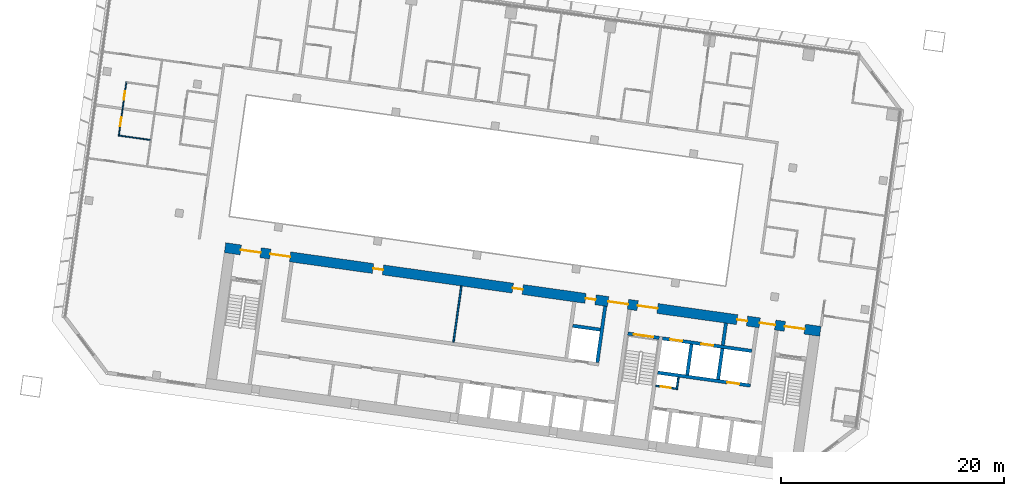
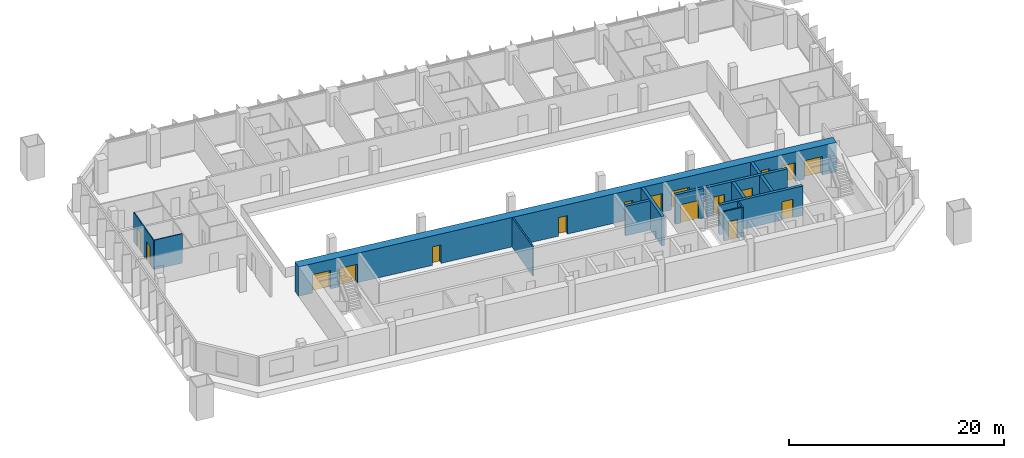
# One storey, part 15 of 25: 17 doors, 14 walls, 17 openings.
"""IFC4 building model written with IfcOpenShell, lengths in metres."""

from ifc_helpers import new_model, si_unit, direction, frame, frame_2d, origin, place, context, subcontext, project, spatial, rectangle, extrude, material, layer, layer_set, type_object, element, fill, save


model = new_model("IFC4")

# Units and contexts
model_context = context("Model", 3, precision=1e-05, world=origin(), true_north=direction((0.0, 1.0)))
body_context = subcontext(model_context, "Body", "Model", "MODEL_VIEW")
ifc_project = project(units=[si_unit("LENGTHUNIT", "METRE"), si_unit("AREAUNIT", "SQUARE_METRE"), si_unit("VOLUMEUNIT", "CUBIC_METRE"), si_unit("PLANEANGLEUNIT", "RADIAN"), si_unit("MASSUNIT", "GRAM", prefix="KILO")], contexts=[model_context])

# Site, building, storey
site_placement = place(None, origin())
site = spatial("IfcSite", under=ifc_project, at=site_placement, CompositionType="ELEMENT")
building_placement = place(site_placement, origin())
building = spatial("IfcBuilding", under=site, at=building_placement, Name="Mirante Cascada Hotel Towers", CompositionType="ELEMENT")
storey_placement = place(building_placement, frame((0.0, 0.0, 62.3)))
storey = spatial("IfcBuildingStorey", under=building, at=storey_placement, Name="L12", CompositionType="ELEMENT", Elevation=62.3)

# Wall
ifc_material_1 = material(Name="Masonry block", Category="masonry")
ifc_layer_1 = layer(ifc_material_1, 0.15)
ifc_layer_set_1 = layer_set([ifc_layer_1], Name="Core room partition 150 block EI 30")
wall_type_1 = type_object("IfcWallType", Name="Core room partition 150 block EI 30", PredefinedType="PARTITIONING", material=ifc_layer_set_1)
wall_1_placement = place(storey_placement, frame((-48.2295, -12.793, 0.0), z_axis=(0.0, 0.0, 1.0), x_axis=(0.1391935, 0.9902652, 0.0)))
element("IfcWall", 1, at=wall_1_placement, inside=storey, type_object=wall_type_1, Name="Core wall partition T1 L12 2", PredefinedType="PARTITIONING", context=body_context, shape_type="SweptSolid", body=[
    extrude(rectangle(XDim=1.1251, YDim=0.15, at=frame_2d((0.5626, 0.0))), origin(), (0.0, 0.0, 1.0), 3.35),
])

# Wall, opening, door
wall_2_placement = place(storey_placement, frame((-48.2933, -12.7083, 0.0), z_axis=(0.0, 0.0, 1.0), x_axis=(-0.990268, 0.1391734, 0.0)))
wall_2 = element("IfcWall", 2, at=wall_2_placement, inside=storey, type_object=wall_type_1, Name="Core wall partition T1 L12 3", PredefinedType="PARTITIONING", context=body_context, shape_type="SweptSolid", body=[
    extrude(rectangle(XDim=1.8251, YDim=0.15, at=frame_2d((0.9126, 0.0))), origin(), (0.0, 0.0, 1.0), 3.35),
])
opening_1_placement = place(wall_2_placement, frame((0.4625, 0.0, 0.0)))
opening_1 = element("IfcOpeningElement", 3, at=opening_1_placement, cuts=wall_2, Name="Opening D1-12-C23", PredefinedType="OPENING", context=body_context, shape_type="SweptSolid", body=[
    extrude(rectangle(XDim=0.9, YDim=2.1, at=frame_2d((0.45, 1.05))), frame((0.0, 0.075, 0.0), z_axis=(0.0, -1.0, 0.0), x_axis=(1.0, 0.0, 0.0)), (0.0, 0.0, 1.0), 0.15),
])
ifc_material_2 = material(Name="Hollow metal fire door leaf")
door_type_1 = type_object("IfcDoorType", Name="Fire door 900x2100 FD60", OperationType="NOTDEFINED", PredefinedType="DOOR", material=ifc_material_2)
door_1_placement = place(opening_1_placement, origin())
door_1 = element("IfcDoor", 4, at=door_1_placement, inside=storey, type_object=door_type_1, Name="Riser door T1 L12 23", OperationType="SINGLE_SWING_LEFT", OverallHeight=2.1, OverallWidth=0.9, PredefinedType="DOOR", context=body_context, shape_type="SweptSolid", body=[
    extrude(rectangle(XDim=0.9, YDim=2.1, at=frame_2d((0.45, 1.05))), frame((0.0, 0.025, 0.0), z_axis=(0.0, -1.0, 0.0), x_axis=(1.0, 0.0, 0.0)), (0.0, 0.0, 1.0), 0.05),
])
fill(opening_1, door_1)

# Walls
wall_3_placement = place(storey_placement, frame((-68.2822, -8.5358, 0.0), z_axis=(0.0, 0.0, 1.0), x_axis=(0.1391755, 0.9902677, 0.0)))
element("IfcWall", 5, at=wall_3_placement, inside=storey, type_object=wall_type_1, Name="Core wall partition T1 L12 6", PredefinedType="PARTITIONING", context=body_context, shape_type="SweptSolid", body=[
    extrude(rectangle(XDim=5.1, YDim=0.15, at=frame_2d((2.55, 0.0))), origin(), (0.0, 0.0, 1.0), 3.35),
])
ifc_material_3 = material(Name="Masonry block", Category="masonry")
ifc_layer_2 = layer(ifc_material_3, 0.3)
ifc_layer_set_2 = layer_set([ifc_layer_2], Name="Core wall 300 block EI 120")
wall_type_2 = type_object("IfcWallType", Name="Core wall 300 block EI 120", PredefinedType="PARTITIONING", material=ifc_layer_set_2)
wall_4_placement = place(storey_placement, frame((-44.0843, -8.8061, 0.0), z_axis=(0.0, 0.0, 1.0), x_axis=(0.1391951, 0.990265, 0.0)))
element("IfcWall", 6, at=wall_4_placement, inside=storey, type_object=wall_type_2, Name="Core wall partition T1 L12 1", PredefinedType="PARTITIONING", context=body_context, shape_type="SweptSolid", body=[
    extrude(rectangle(XDim=2.0001, YDim=0.3, at=frame_2d((1.0001, 0.0))), origin(), (0.0, 0.0, 1.0), 3.35),
])
ifc_material_4 = material(Name="Plasterboard on metal studs")
ifc_layer_3 = layer(ifc_material_4, 0.1)
ifc_layer_set_3 = layer_set([ifc_layer_3], Name="Partition 100")
wall_type_3 = type_object("IfcWallType", Name="Partition 100", PredefinedType="PARTITIONING", material=ifc_layer_set_3)
wall_5_placement = place(storey_placement, frame((-95.5188, 9.6317, 0.0), z_axis=(0.0, 0.0, 1.0), x_axis=(-0.9902726, 0.139141, 0.0)))
element("IfcWall", 7, at=wall_5_placement, inside=storey, type_object=wall_type_3, Name="Wall 1-L12-11", PredefinedType="PARTITIONING", context=body_context, shape_type="SweptSolid", body=[
    extrude(rectangle(XDim=2.8, YDim=0.1, at=frame_2d((1.4, 0.0))), origin(), (0.0, 0.0, 1.0), 3.35),
])

# Wall, openings, doors
wall_6_placement = place(storey_placement, frame((-97.6615, 14.8641, 0.0), z_axis=(0.0, 0.0, 1.0), x_axis=(-0.1391564, -0.9902704, 0.0)))
wall_6 = element("IfcWall", 8, at=wall_6_placement, inside=storey, type_object=wall_type_3, Name="Wall 1-L12-62", PredefinedType="PARTITIONING", context=body_context, shape_type="SweptSolid", body=[
    extrude(rectangle(XDim=4.9333, YDim=0.1, at=frame_2d((2.4666, 0.0))), origin(), (0.0, 0.0, 1.0), 3.35),
])
opening_2_placement = place(wall_6_placement, frame((3.25, 0.0, 0.0)))
opening_2 = element("IfcOpeningElement", 9, at=opening_2_placement, cuts=wall_6, Name="Opening D1-L12-41", PredefinedType="OPENING", context=body_context, shape_type="SweptSolid", body=[
    extrude(rectangle(XDim=0.8, YDim=2.1, at=frame_2d((0.4, 1.05))), frame((0.0, 0.05, 0.0), z_axis=(0.0, -1.0, 0.0), x_axis=(1.0, 0.0, 0.0)), (0.0, 0.0, 1.0), 0.1),
])
opening_3_placement = place(wall_6_placement, frame((0.85, 0.0, 0.0)))
opening_3 = element("IfcOpeningElement", 10, at=opening_3_placement, cuts=wall_6, Name="Opening D1-L12-42", PredefinedType="OPENING", context=body_context, shape_type="SweptSolid", body=[
    extrude(rectangle(XDim=0.8, YDim=2.1, at=frame_2d((0.4, 1.05))), frame((0.0, 0.05, 0.0), z_axis=(0.0, -1.0, 0.0), x_axis=(1.0, 0.0, 0.0)), (0.0, 0.0, 1.0), 0.1),
])
ifc_material_5 = material(Name="Timber door leaf", Category="wood")
door_type_2 = type_object("IfcDoorType", Name="Bathroom door DG4 800x2100", OperationType="SINGLE_SWING_LEFT", PredefinedType="DOOR", material=ifc_material_5)
door_2_placement = place(opening_2_placement, frame((0.8, 0.0, 0.0), z_axis=(0.0, 0.0, 1.0), x_axis=(-1.0, 0.0, 0.0)))
door_2 = element("IfcDoor", 11, at=door_2_placement, inside=storey, type_object=door_type_2, Name="Door D1-L12-41", OperationType="SINGLE_SWING_RIGHT", OverallHeight=2.1, OverallWidth=0.8, PredefinedType="DOOR", context=body_context, shape_type="SweptSolid", body=[
    extrude(rectangle(XDim=0.8, YDim=2.1, at=frame_2d((0.4, 1.05))), frame((0.0, 0.025, 0.0), z_axis=(0.0, -1.0, 0.0), x_axis=(1.0, 0.0, 0.0)), (0.0, 0.0, 1.0), 0.05),
])
fill(opening_2, door_2)
door_3_placement = place(opening_3_placement, origin())
door_3 = element("IfcDoor", 12, at=door_3_placement, inside=storey, type_object=door_type_2, Name="Door D1-L12-42", OperationType="SINGLE_SWING_LEFT", OverallHeight=2.1, OverallWidth=0.8, PredefinedType="DOOR", context=body_context, shape_type="SweptSolid", body=[
    extrude(rectangle(XDim=0.8, YDim=2.1, at=frame_2d((0.4, 1.05))), frame((0.0, 0.025, 0.0), z_axis=(0.0, -1.0, 0.0), x_axis=(1.0, 0.0, 0.0)), (0.0, 0.0, 1.0), 0.05),
])
fill(opening_3, door_3)

# Wall, opening, door
ifc_material_6 = material(Name="Concrete C50/60", Category="concrete")
ifc_layer_4 = layer(ifc_material_6, 0.3)
ifc_layer_set_4 = layer_set([ifc_layer_4], Name="RC core wall 300 C50/60")
wall_type_4 = type_object("IfcWallType", Name="RC core wall 300 C50/60", PredefinedType="SHEAR", material=ifc_layer_set_4)
wall_7_placement = place(storey_placement, frame((-49.7992, -8.1544, 0.0), z_axis=(0.0, 0.0, 1.0), x_axis=(-0.9902656, 0.1391909, 0.0)))
wall_7 = element("IfcWall", 13, at=wall_7_placement, inside=storey, type_object=wall_type_4, Name="Core wall T1:L12:10", PredefinedType="SHEAR", context=body_context, shape_type="SweptSolid", body=[
    extrude(rectangle(XDim=2.85, YDim=0.3, at=frame_2d((1.425, 0.0))), origin(), (0.0, 0.0, 1.0), 3.35),
])
opening_4_placement = place(wall_7_placement, frame((0.525, 0.0, 0.0)))
opening_4 = element("IfcOpeningElement", 14, at=opening_4_placement, cuts=wall_7, Name="Opening D1-12-C15", PredefinedType="OPENING", context=body_context, shape_type="SweptSolid", body=[
    extrude(rectangle(XDim=1.8, YDim=2.1, at=frame_2d((0.9, 1.05))), frame((0.0, 0.15, 0.0), z_axis=(0.0, -1.0, 0.0), x_axis=(1.0, 0.0, 0.0)), (0.0, 0.0, 1.0), 0.3),
])
ifc_material_7 = material(Name="Hollow metal fire door leaf")
door_type_3 = type_object("IfcDoorType", Name="Double fire door 1800x2100 FD60", OperationType="DOUBLE_DOOR_SINGLE_SWING", PredefinedType="DOOR", material=ifc_material_7)
door_4_placement = place(opening_4_placement, origin())
door_4 = element("IfcDoor", 15, at=door_4_placement, inside=storey, type_object=door_type_3, Name="Stair door T1 L12 15", OperationType="DOUBLE_DOOR_SINGLE_SWING", OverallHeight=2.1, OverallWidth=1.8, PredefinedType="DOOR", context=body_context, shape_type="SweptSolid", body=[
    extrude(rectangle(XDim=0.895, YDim=2.1, at=frame_2d((0.4475, 1.05))), frame((0.0, 0.025, 0.0), z_axis=(0.0, -1.0, 0.0), x_axis=(1.0, 0.0, 0.0)), (0.0, 0.0, 1.0), 0.05),
    extrude(rectangle(XDim=0.895, YDim=2.1, at=frame_2d((1.3525, 1.05))), frame((0.0, 0.025, 0.0), z_axis=(0.0, -1.0, 0.0), x_axis=(1.0, 0.0, 0.0)), (0.0, 0.0, 1.0), 0.05),
])
fill(opening_4, door_4)

wall_8_placement = place(storey_placement, frame((-41.6153, -12.435, 0.0), z_axis=(0.0, 0.0, 1.0), x_axis=(-0.9902691, 0.139166, 0.0)))
wall_8 = element("IfcWall", 16, at=wall_8_placement, inside=storey, type_object=wall_type_4, Name="Core wall T1:L12:13", PredefinedType="SHEAR", context=body_context, shape_type="SweptSolid", body=[
    extrude(rectangle(XDim=8.4, YDim=0.3, at=frame_2d((4.2, 0.0))), origin(), (0.0, 0.0, 1.0), 3.35),
])
opening_5_placement = place(wall_8_placement, frame((1.0, 0.0, 0.0)))
opening_5 = element("IfcOpeningElement", 17, at=opening_5_placement, cuts=wall_8, Name="Opening LD", PredefinedType="OPENING", context=body_context, shape_type="SweptSolid", body=[
    extrude(rectangle(XDim=1.1, YDim=2.1, at=frame_2d((0.55, 1.05))), frame((0.0, 0.15, 0.0), z_axis=(0.0, -1.0, 0.0), x_axis=(1.0, 0.0, 0.0)), (0.0, 0.0, 1.0), 0.3),
])
ifc_material_8 = material(Name="Stainless steel", Category="steel")
door_type_4 = type_object("IfcDoorType", Name="Lift landing door 1100x2100 EI 120", OperationType="DOUBLE_DOOR_SLIDING", PredefinedType="DOOR", material=ifc_material_8)
door_5_placement = place(opening_5_placement, origin())
door_5 = element("IfcDoor", 18, at=door_5_placement, inside=storey, type_object=door_type_4, Name="Lift landing door HR1-4 L12", OperationType="DOUBLE_DOOR_SLIDING", OverallHeight=2.1, OverallWidth=1.1, PredefinedType="DOOR", context=body_context, shape_type="SweptSolid", body=[
    extrude(rectangle(XDim=0.545, YDim=2.1, at=frame_2d((0.2725, 1.05))), frame((0.0, 0.025, 0.0), z_axis=(0.0, -1.0, 0.0), x_axis=(1.0, 0.0, 0.0)), (0.0, 0.0, 1.0), 0.05),
    extrude(rectangle(XDim=0.545, YDim=2.1, at=frame_2d((0.8275, 1.05))), frame((0.0, 0.025, 0.0), z_axis=(0.0, -1.0, 0.0), x_axis=(1.0, 0.0, 0.0)), (0.0, 0.0, 1.0), 0.05),
])
fill(opening_5, door_5)

# Wall, openings, doors
wall_9_placement = place(storey_placement, frame((-41.481, -9.3234, 0.0), z_axis=(0.0, 0.0, 1.0), x_axis=(-0.9902679, 0.1391741, 0.0)))
wall_9 = element("IfcWall", 19, at=wall_9_placement, inside=storey, type_object=wall_type_4, Name="Core wall T1:L12:14", PredefinedType="SHEAR", context=body_context, shape_type="SweptSolid", body=[
    extrude(rectangle(XDim=8.0999, YDim=0.3, at=frame_2d((4.05, 0.0))), origin(), (0.0, 0.0, 1.0), 3.35),
])
opening_6_placement = place(wall_9_placement, frame((3.5, 0.0, 0.0)))
opening_6 = element("IfcOpeningElement", 20, at=opening_6_placement, cuts=wall_9, Name="Opening LD", PredefinedType="OPENING", context=body_context, shape_type="SweptSolid", body=[
    extrude(rectangle(XDim=1.1, YDim=2.1, at=frame_2d((0.55, 1.05))), frame((0.0, 0.15, 0.0), z_axis=(0.0, -1.0, 0.0), x_axis=(1.0, 0.0, 0.0)), (0.0, 0.0, 1.0), 0.3),
])
opening_7_placement = place(wall_9_placement, frame((6.3, 0.0, 0.0)))
opening_7 = element("IfcOpeningElement", 21, at=opening_7_placement, cuts=wall_9, Name="Opening LD", PredefinedType="OPENING", context=body_context, shape_type="SweptSolid", body=[
    extrude(rectangle(XDim=1.1, YDim=2.1, at=frame_2d((0.55, 1.05))), frame((0.0, 0.15, 0.0), z_axis=(0.0, -1.0, 0.0), x_axis=(1.0, 0.0, 0.0)), (0.0, 0.0, 1.0), 0.3),
])
door_6_placement = place(opening_6_placement, origin())
door_6 = element("IfcDoor", 22, at=door_6_placement, inside=storey, type_object=door_type_4, Name="Lift landing door FF1 L12", OperationType="DOUBLE_DOOR_SLIDING", OverallHeight=2.1, OverallWidth=1.1, PredefinedType="DOOR", context=body_context, shape_type="SweptSolid", body=[
    extrude(rectangle(XDim=0.545, YDim=2.1, at=frame_2d((0.2725, 1.05))), frame((0.0, 0.025, 0.0), z_axis=(0.0, -1.0, 0.0), x_axis=(1.0, 0.0, 0.0)), (0.0, 0.0, 1.0), 0.05),
    extrude(rectangle(XDim=0.545, YDim=2.1, at=frame_2d((0.8275, 1.05))), frame((0.0, 0.025, 0.0), z_axis=(0.0, -1.0, 0.0), x_axis=(1.0, 0.0, 0.0)), (0.0, 0.0, 1.0), 0.05),
])
fill(opening_6, door_6)
door_7_placement = place(opening_7_placement, origin())
door_7 = element("IfcDoor", 23, at=door_7_placement, inside=storey, type_object=door_type_4, Name="Lift landing door FF2 L12", OperationType="DOUBLE_DOOR_SLIDING", OverallHeight=2.1, OverallWidth=1.1, PredefinedType="DOOR", context=body_context, shape_type="SweptSolid", body=[
    extrude(rectangle(XDim=0.545, YDim=2.1, at=frame_2d((0.2725, 1.05))), frame((0.0, 0.025, 0.0), z_axis=(0.0, -1.0, 0.0), x_axis=(1.0, 0.0, 0.0)), (0.0, 0.0, 1.0), 0.05),
    extrude(rectangle(XDim=0.545, YDim=2.1, at=frame_2d((0.8275, 1.05))), frame((0.0, 0.025, 0.0), z_axis=(0.0, -1.0, 0.0), x_axis=(1.0, 0.0, 0.0)), (0.0, 0.0, 1.0), 0.05),
])
fill(opening_7, door_7)

# Walls
for number, where, z_axis, x_axis, name in (
    (24, (-44.5157, -11.8759, 0.0), (0.0, 0.0, 1.0), (0.139181, 0.990267, 0.0), "Core wall T1:L12:18"),
    (25, (-47.2885, -11.4862, 0.0), (0.0, 0.0, 1.0), (0.139181, 0.990267, 0.0), "Core wall T1:L12:19"),
):
    element("IfcWall", number, at=place(storey_placement, frame(where, z_axis=z_axis, x_axis=x_axis)), inside=storey, type_object=wall_type_4, Name=name, PredefinedType="SHEAR", context=body_context, shape_type="SweptSolid", body=[
        extrude(rectangle(XDim=2.8, YDim=0.3, at=frame_2d((1.4, 0.0))), origin(), (0.0, 0.0, 1.0), 3.35),
    ])
wall_10_placement = place(storey_placement, frame((-55.3592, -10.352, 0.0), z_axis=(0.0, 0.0, 1.0), x_axis=(0.1391755, 0.9902677, 0.0)))
element("IfcWall", 26, at=wall_10_placement, inside=storey, type_object=wall_type_4, Name="Core wall T1:L12:33", PredefinedType="SHEAR", context=body_context, shape_type="SweptSolid", body=[
    extrude(rectangle(XDim=5.1, YDim=0.3, at=frame_2d((2.55, 0.0))), origin(), (0.0, 0.0, 1.0), 3.35),
])
wall_11_placement = place(storey_placement, frame((-55.0971, -7.4098, 0.0), z_axis=(0.0, 0.0, 1.0), x_axis=(-0.9902701, 0.1391586, 0.0)))
element("IfcWall", 27, at=wall_11_placement, inside=storey, type_object=wall_type_4, Name="Core wall T1:L12:36", PredefinedType="SHEAR", context=body_context, shape_type="SweptSolid", body=[
    extrude(rectangle(XDim=2.5, YDim=0.3, at=frame_2d((1.25, 0.0))), origin(), (0.0, 0.0, 1.0), 3.35),
])

# Wall, openings, doors
ifc_material_9 = material(Name="Concrete C50/60", Category="concrete")
ifc_layer_5 = layer(ifc_material_9, 0.9)
ifc_layer_set_5 = layer_set([ifc_layer_5], Name="RC core wall 900 C50/60")
wall_type_5 = type_object("IfcWallType", Name="RC core wall 900 C50/60", PredefinedType="SHEAR", material=ifc_layer_set_5)
wall_12_placement = place(storey_placement, frame((-35.326, -7.5629, 0.0), z_axis=(0.0, 0.0, 1.0), x_axis=(-0.9902679, 0.139174, 0.0)))
wall_12 = element("IfcWall", 28, at=wall_12_placement, inside=storey, type_object=wall_type_5, Name="Core wall T1:L12:2", PredefinedType="SHEAR", context=body_context, shape_type="SweptSolid", body=[
    extrude(rectangle(XDim=54.0, YDim=0.9, at=frame_2d((27.0, 0.0))), origin(), (0.0, 0.0, 1.0), 3.35),
])
opening_8_placement = place(wall_12_placement, frame((1.425, 0.0, 0.0)))
opening_8 = element("IfcOpeningElement", 29, at=opening_8_placement, cuts=wall_12, Name="Opening D1-12-C14", PredefinedType="OPENING", context=body_context, shape_type="SweptSolid", body=[
    extrude(rectangle(XDim=1.8, YDim=2.1, at=frame_2d((0.9, 1.05))), frame((0.0, 0.45, 0.0), z_axis=(0.0, -1.0, 0.0), x_axis=(1.0, 0.0, 0.0)), (0.0, 0.0, 1.0), 0.9),
])
opening_9_placement = place(wall_12_placement, frame((14.775, 0.0, 0.0)))
opening_9 = element("IfcOpeningElement", 30, at=opening_9_placement, cuts=wall_12, Name="Opening D1-12-C16", PredefinedType="OPENING", context=body_context, shape_type="SweptSolid", body=[
    extrude(rectangle(XDim=1.8, YDim=2.1, at=frame_2d((0.9, 1.05))), frame((0.0, 0.45, 0.0), z_axis=(0.0, -1.0, 0.0), x_axis=(1.0, 0.0, 0.0)), (0.0, 0.0, 1.0), 0.9),
])
opening_10_placement = place(wall_12_placement, frame((50.775, 0.0, 0.0)))
opening_10 = element("IfcOpeningElement", 31, at=opening_10_placement, cuts=wall_12, Name="Opening D1-12-C18", PredefinedType="OPENING", context=body_context, shape_type="SweptSolid", body=[
    extrude(rectangle(XDim=1.8, YDim=2.1, at=frame_2d((0.9, 1.05))), frame((0.0, 0.45, 0.0), z_axis=(0.0, -1.0, 0.0), x_axis=(1.0, 0.0, 0.0)), (0.0, 0.0, 1.0), 0.9),
])
opening_11_placement = place(wall_12_placement, frame((4.1, 0.0, 0.0)))
opening_11 = element("IfcOpeningElement", 32, at=opening_11_placement, cuts=wall_12, Name="Opening D1-12-C19", PredefinedType="OPENING", context=body_context, shape_type="SweptSolid", body=[
    extrude(rectangle(XDim=1.4, YDim=2.1, at=frame_2d((0.7, 1.05))), frame((0.0, 0.45, 0.0), z_axis=(0.0, -1.0, 0.0), x_axis=(1.0, 0.0, 0.0)), (0.0, 0.0, 1.0), 0.9),
])
opening_12_placement = place(wall_12_placement, frame((17.45, 0.0, 0.0)))
opening_12 = element("IfcOpeningElement", 33, at=opening_12_placement, cuts=wall_12, Name="Opening D1-12-C20", PredefinedType="OPENING", context=body_context, shape_type="SweptSolid", body=[
    extrude(rectangle(XDim=1.8, YDim=2.1, at=frame_2d((0.9, 1.05))), frame((0.0, 0.45, 0.0), z_axis=(0.0, -1.0, 0.0), x_axis=(1.0, 0.0, 0.0)), (0.0, 0.0, 1.0), 0.9),
])
opening_13_placement = place(wall_12_placement, frame((48.1, 0.0, 0.0)))
opening_13 = element("IfcOpeningElement", 34, at=opening_13_placement, cuts=wall_12, Name="Opening D1-12-C21", PredefinedType="OPENING", context=body_context, shape_type="SweptSolid", body=[
    extrude(rectangle(XDim=1.8, YDim=2.1, at=frame_2d((0.9, 1.05))), frame((0.0, 0.45, 0.0), z_axis=(0.0, -1.0, 0.0), x_axis=(1.0, 0.0, 0.0)), (0.0, 0.0, 1.0), 0.9),
])
opening_14_placement = place(wall_12_placement, frame((6.65, 0.0, 0.0)))
opening_14 = element("IfcOpeningElement", 35, at=opening_14_placement, cuts=wall_12, Name="Opening D1-12-C24", PredefinedType="OPENING", context=body_context, shape_type="SweptSolid", body=[
    extrude(rectangle(XDim=0.9, YDim=2.1, at=frame_2d((0.45, 1.05))), frame((0.0, 0.45, 0.0), z_axis=(0.0, -1.0, 0.0), x_axis=(1.0, 0.0, 0.0)), (0.0, 0.0, 1.0), 0.9),
])
opening_15_placement = place(wall_12_placement, frame((20.4, 0.0, 0.0)))
opening_15 = element("IfcOpeningElement", 36, at=opening_15_placement, cuts=wall_12, Name="Opening D1-12-C28", PredefinedType="OPENING", context=body_context, shape_type="SweptSolid", body=[
    extrude(rectangle(XDim=0.9, YDim=2.1, at=frame_2d((0.45, 1.05))), frame((0.0, 0.45, 0.0), z_axis=(0.0, -1.0, 0.0), x_axis=(1.0, 0.0, 0.0)), (0.0, 0.0, 1.0), 0.9),
])
opening_16_placement = place(wall_12_placement, frame((27.0, 0.0, 0.0)))
opening_16 = element("IfcOpeningElement", 37, at=opening_16_placement, cuts=wall_12, Name="Opening D1-12-C29", PredefinedType="OPENING", context=body_context, shape_type="SweptSolid", body=[
    extrude(rectangle(XDim=0.9, YDim=2.1, at=frame_2d((0.45, 1.05))), frame((0.0, 0.45, 0.0), z_axis=(0.0, -1.0, 0.0), x_axis=(1.0, 0.0, 0.0)), (0.0, 0.0, 1.0), 0.9),
])
opening_17_placement = place(wall_12_placement, frame((39.675, 0.0, 0.0)))
opening_17 = element("IfcOpeningElement", 38, at=opening_17_placement, cuts=wall_12, Name="Opening D1-12-C30", PredefinedType="OPENING", context=body_context, shape_type="SweptSolid", body=[
    extrude(rectangle(XDim=0.9, YDim=2.1, at=frame_2d((0.45, 1.05))), frame((0.0, 0.45, 0.0), z_axis=(0.0, -1.0, 0.0), x_axis=(1.0, 0.0, 0.0)), (0.0, 0.0, 1.0), 0.9),
])
ifc_material_10 = material(Name="Hollow metal fire door leaf")
door_type_5 = type_object("IfcDoorType", Name="Double fire door 1400x2100 FD60", OperationType="DOUBLE_DOOR_SINGLE_SWING", PredefinedType="DOOR", material=ifc_material_10)
door_8_placement = place(opening_11_placement, frame((1.4, 0.0, 0.0), z_axis=(0.0, 0.0, 1.0), x_axis=(-1.0, 0.0, 0.0)))
door_8 = element("IfcDoor", 39, at=door_8_placement, inside=storey, type_object=door_type_5, Name="Exit door to gallery T1 L12 19", OperationType="DOUBLE_DOOR_SINGLE_SWING", OverallHeight=2.1, OverallWidth=1.4, PredefinedType="DOOR", context=body_context, shape_type="SweptSolid", body=[
    extrude(rectangle(XDim=0.695, YDim=2.1, at=frame_2d((0.3475, 1.05))), frame((0.0, 0.025, 0.0), z_axis=(0.0, -1.0, 0.0), x_axis=(1.0, 0.0, 0.0)), (0.0, 0.0, 1.0), 0.05),
    extrude(rectangle(XDim=0.695, YDim=2.1, at=frame_2d((1.0525, 1.05))), frame((0.0, 0.025, 0.0), z_axis=(0.0, -1.0, 0.0), x_axis=(1.0, 0.0, 0.0)), (0.0, 0.0, 1.0), 0.05),
])
fill(opening_11, door_8)
door_9_placement = place(opening_8_placement, origin())
door_9 = element("IfcDoor", 40, at=door_9_placement, inside=storey, type_object=door_type_3, Name="Exit door to gallery T1 L12 14", OperationType="DOUBLE_DOOR_SINGLE_SWING", OverallHeight=2.1, OverallWidth=1.8, PredefinedType="DOOR", context=body_context, shape_type="SweptSolid", body=[
    extrude(rectangle(XDim=0.895, YDim=2.1, at=frame_2d((0.4475, 1.05))), frame((0.0, 0.025, 0.0), z_axis=(0.0, -1.0, 0.0), x_axis=(1.0, 0.0, 0.0)), (0.0, 0.0, 1.0), 0.05),
    extrude(rectangle(XDim=0.895, YDim=2.1, at=frame_2d((1.3525, 1.05))), frame((0.0, 0.025, 0.0), z_axis=(0.0, -1.0, 0.0), x_axis=(1.0, 0.0, 0.0)), (0.0, 0.0, 1.0), 0.05),
])
fill(opening_8, door_9)
door_10_placement = place(opening_9_placement, origin())
door_10 = element("IfcDoor", 41, at=door_10_placement, inside=storey, type_object=door_type_3, Name="Exit door to gallery T1 L12 16", OperationType="DOUBLE_DOOR_SINGLE_SWING", OverallHeight=2.1, OverallWidth=1.8, PredefinedType="DOOR", context=body_context, shape_type="SweptSolid", body=[
    extrude(rectangle(XDim=0.895, YDim=2.1, at=frame_2d((0.4475, 1.05))), frame((0.0, 0.025, 0.0), z_axis=(0.0, -1.0, 0.0), x_axis=(1.0, 0.0, 0.0)), (0.0, 0.0, 1.0), 0.05),
    extrude(rectangle(XDim=0.895, YDim=2.1, at=frame_2d((1.3525, 1.05))), frame((0.0, 0.025, 0.0), z_axis=(0.0, -1.0, 0.0), x_axis=(1.0, 0.0, 0.0)), (0.0, 0.0, 1.0), 0.05),
])
fill(opening_9, door_10)
door_11_placement = place(opening_10_placement, origin())
door_11 = element("IfcDoor", 42, at=door_11_placement, inside=storey, type_object=door_type_3, Name="Exit door to gallery T1 L12 18", OperationType="DOUBLE_DOOR_SINGLE_SWING", OverallHeight=2.1, OverallWidth=1.8, PredefinedType="DOOR", context=body_context, shape_type="SweptSolid", body=[
    extrude(rectangle(XDim=0.895, YDim=2.1, at=frame_2d((0.4475, 1.05))), frame((0.0, 0.025, 0.0), z_axis=(0.0, -1.0, 0.0), x_axis=(1.0, 0.0, 0.0)), (0.0, 0.0, 1.0), 0.05),
    extrude(rectangle(XDim=0.895, YDim=2.1, at=frame_2d((1.3525, 1.05))), frame((0.0, 0.025, 0.0), z_axis=(0.0, -1.0, 0.0), x_axis=(1.0, 0.0, 0.0)), (0.0, 0.0, 1.0), 0.05),
])
fill(opening_10, door_11)
door_12_placement = place(opening_12_placement, frame((1.8, 0.0, 0.0), z_axis=(0.0, 0.0, 1.0), x_axis=(-1.0, 0.0, 0.0)))
door_12 = element("IfcDoor", 43, at=door_12_placement, inside=storey, type_object=door_type_3, Name="Exit door to gallery T1 L12 20", OperationType="DOUBLE_DOOR_SINGLE_SWING", OverallHeight=2.1, OverallWidth=1.8, PredefinedType="DOOR", context=body_context, shape_type="SweptSolid", body=[
    extrude(rectangle(XDim=0.895, YDim=2.1, at=frame_2d((0.4475, 1.05))), frame((0.0, 0.025, 0.0), z_axis=(0.0, -1.0, 0.0), x_axis=(1.0, 0.0, 0.0)), (0.0, 0.0, 1.0), 0.05),
    extrude(rectangle(XDim=0.895, YDim=2.1, at=frame_2d((1.3525, 1.05))), frame((0.0, 0.025, 0.0), z_axis=(0.0, -1.0, 0.0), x_axis=(1.0, 0.0, 0.0)), (0.0, 0.0, 1.0), 0.05),
])
fill(opening_12, door_12)
door_13_placement = place(opening_13_placement, frame((1.8, 0.0, 0.0), z_axis=(0.0, 0.0, 1.0), x_axis=(-1.0, 0.0, 0.0)))
door_13 = element("IfcDoor", 44, at=door_13_placement, inside=storey, type_object=door_type_3, Name="Exit door to gallery T1 L12 21", OperationType="DOUBLE_DOOR_SINGLE_SWING", OverallHeight=2.1, OverallWidth=1.8, PredefinedType="DOOR", context=body_context, shape_type="SweptSolid", body=[
    extrude(rectangle(XDim=0.895, YDim=2.1, at=frame_2d((0.4475, 1.05))), frame((0.0, 0.025, 0.0), z_axis=(0.0, -1.0, 0.0), x_axis=(1.0, 0.0, 0.0)), (0.0, 0.0, 1.0), 0.05),
    extrude(rectangle(XDim=0.895, YDim=2.1, at=frame_2d((1.3525, 1.05))), frame((0.0, 0.025, 0.0), z_axis=(0.0, -1.0, 0.0), x_axis=(1.0, 0.0, 0.0)), (0.0, 0.0, 1.0), 0.05),
])
fill(opening_13, door_13)
door_14_placement = place(opening_14_placement, origin())
door_14 = element("IfcDoor", 45, at=door_14_placement, inside=storey, type_object=door_type_1, Name="Room door T1 L12 24", OperationType="SINGLE_SWING_RIGHT", OverallHeight=2.1, OverallWidth=0.9, PredefinedType="DOOR", context=body_context, shape_type="SweptSolid", body=[
    extrude(rectangle(XDim=0.9, YDim=2.1, at=frame_2d((0.45, 1.05))), frame((0.0, 0.025, 0.0), z_axis=(0.0, -1.0, 0.0), x_axis=(1.0, 0.0, 0.0)), (0.0, 0.0, 1.0), 0.05),
])
fill(opening_14, door_14)
door_15_placement = place(opening_15_placement, origin())
door_15 = element("IfcDoor", 46, at=door_15_placement, inside=storey, type_object=door_type_1, Name="Room door T1 L12 28", OperationType="SINGLE_SWING_RIGHT", OverallHeight=2.1, OverallWidth=0.9, PredefinedType="DOOR", context=body_context, shape_type="SweptSolid", body=[
    extrude(rectangle(XDim=0.9, YDim=2.1, at=frame_2d((0.45, 1.05))), frame((0.0, 0.025, 0.0), z_axis=(0.0, -1.0, 0.0), x_axis=(1.0, 0.0, 0.0)), (0.0, 0.0, 1.0), 0.05),
])
fill(opening_15, door_15)
door_16_placement = place(opening_16_placement, origin())
door_16 = element("IfcDoor", 47, at=door_16_placement, inside=storey, type_object=door_type_1, Name="Room door T1 L12 29", OperationType="SINGLE_SWING_LEFT", OverallHeight=2.1, OverallWidth=0.9, PredefinedType="DOOR", context=body_context, shape_type="SweptSolid", body=[
    extrude(rectangle(XDim=0.9, YDim=2.1, at=frame_2d((0.45, 1.05))), frame((0.0, 0.025, 0.0), z_axis=(0.0, -1.0, 0.0), x_axis=(1.0, 0.0, 0.0)), (0.0, 0.0, 1.0), 0.05),
])
fill(opening_16, door_16)
door_17_placement = place(opening_17_placement, origin())
door_17 = element("IfcDoor", 48, at=door_17_placement, inside=storey, type_object=door_type_1, Name="Room door T1 L12 30", OperationType="SINGLE_SWING_LEFT", OverallHeight=2.1, OverallWidth=0.9, PredefinedType="DOOR", context=body_context, shape_type="SweptSolid", body=[
    extrude(rectangle(XDim=0.9, YDim=2.1, at=frame_2d((0.45, 1.05))), frame((0.0, 0.025, 0.0), z_axis=(0.0, -1.0, 0.0), x_axis=(1.0, 0.0, 0.0)), (0.0, 0.0, 1.0), 0.05),
])
fill(opening_17, door_17)

save(model, "model.ifc")
